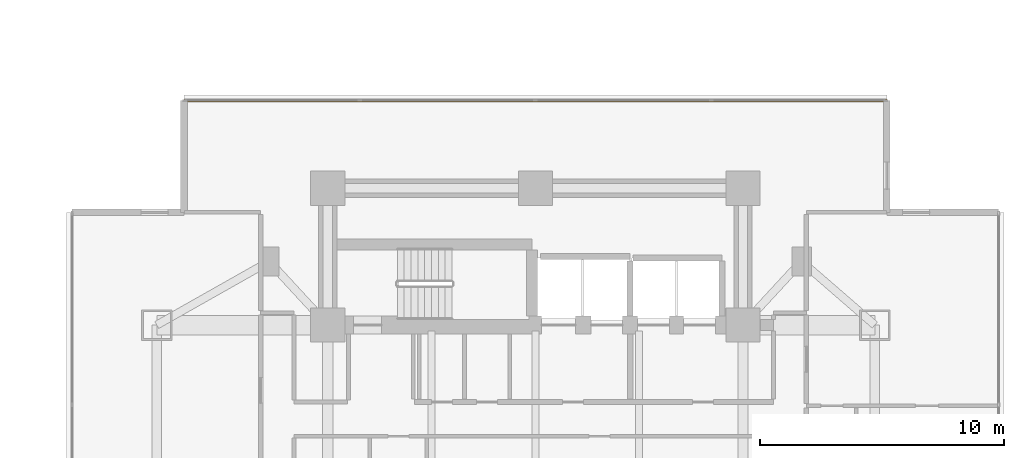
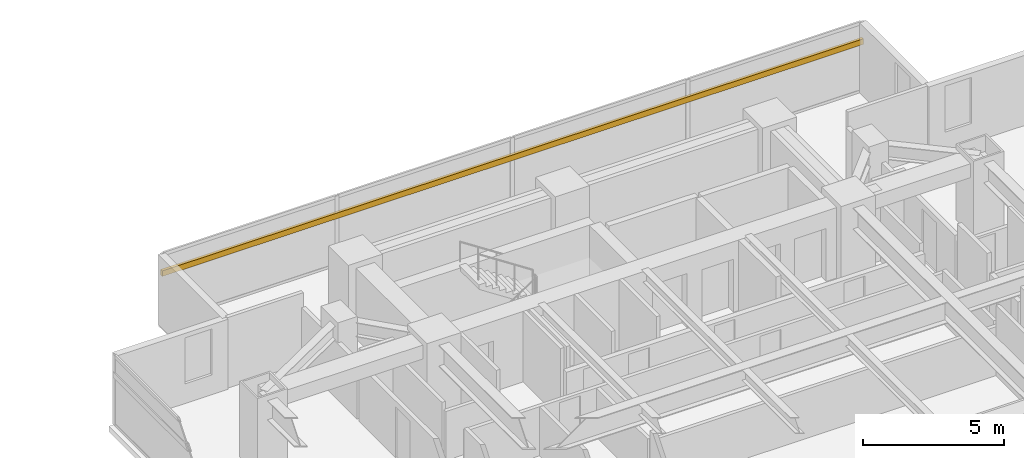
# One storey, part 26 of 26: 1 shading device.
"""IFC4 building model written with IfcOpenShell, lengths in metres."""

from ifc_helpers import new_model, si_unit, direction, frame, origin, origin_2d, place, context, subcontext, project, spatial, rectangle, extrude, material, material_profile, profile_set, type_object, element, save


model = new_model("IFC4")

# Units and contexts
model_context = context("Model", 3, precision=1e-05, world=origin(), true_north=direction((0.0, 1.0)))
body_context = subcontext(model_context, "Body", "Model", "MODEL_VIEW")
ifc_project = project(units=[si_unit("LENGTHUNIT", "METRE"), si_unit("AREAUNIT", "SQUARE_METRE"), si_unit("VOLUMEUNIT", "CUBIC_METRE"), si_unit("PLANEANGLEUNIT", "RADIAN"), si_unit("MASSUNIT", "GRAM", prefix="KILO")], contexts=[model_context])

# Site, building, storey
site_placement = place(None, origin())
site = spatial("IfcSite", under=ifc_project, at=site_placement, CompositionType="ELEMENT")
building_placement = place(site_placement, origin())
building = spatial("IfcBuilding", under=site, at=building_placement, Name="Mirazonda Arch Towers", CompositionType="ELEMENT")
storey_placement = place(building_placement, frame((0.0, 0.0, 38.89990234375)))
storey = spatial("IfcBuildingStorey", under=building, at=storey_placement, Name="L10", CompositionType="ELEMENT", Elevation=38.89990234375)

# Shading device
ifc_material = material(Name="Kiln-Fired Architectural Terracotta", Category="masonry")
ifc_material_profile = material_profile(ifc_material, rectangle(XDim=0.1201171875, YDim=0.239990234375, at=origin_2d()), Name="TERRA-BAG-120x240")
ifc_profile_set = profile_set([ifc_material_profile], Name="Kiln-Fired Architectural Terracotta")
shading_device_type = type_object("IfcShadingDeviceType", Name="BAGUETTE-1", PredefinedType="USERDEFINED", material=ifc_profile_set)
shading_device_placement = place(storey_placement, frame((62.110107421875, 44.396484375, 2.18896484375), z_axis=(1.0, 0.0, 0.0), x_axis=(0.0, 1.0, 0.0)))
element("IfcShadingDevice", 1, at=shading_device_placement, inside=storey, type_object=shading_device_type, Name="L10 Glazed Terracotta Sun-Screen Baguette CW-L10-T2-N", ObjectType="BAGUETTE", PredefinedType="USERDEFINED", context=body_context, shape_type="SweptSolid", body=[
    extrude(rectangle(XDim=0.1201171875, YDim=0.239990234375, at=origin_2d()), origin(), (0.0, 0.0, 1.0), 28.77978515625),
])

save(model, "model.ifc")
